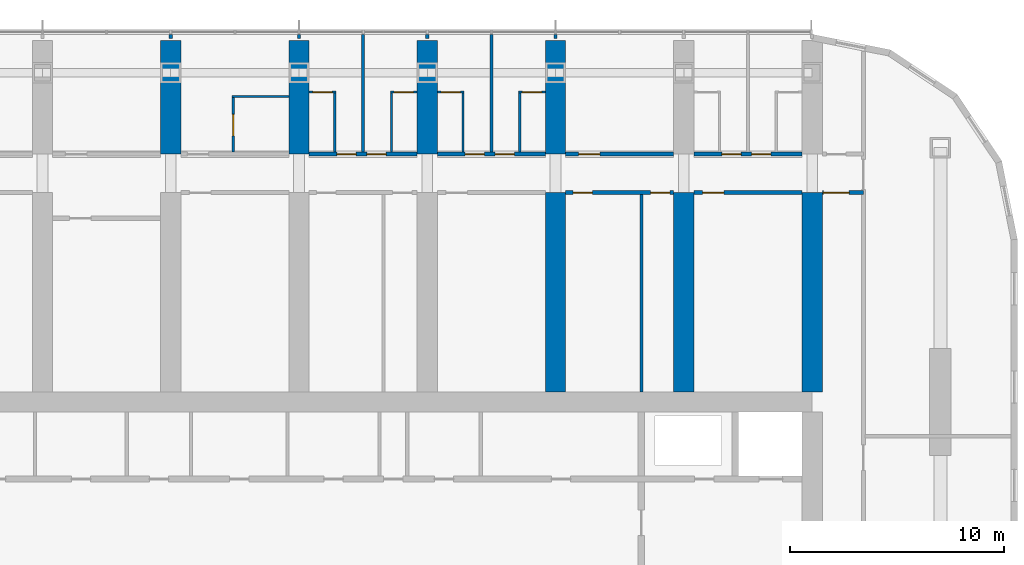
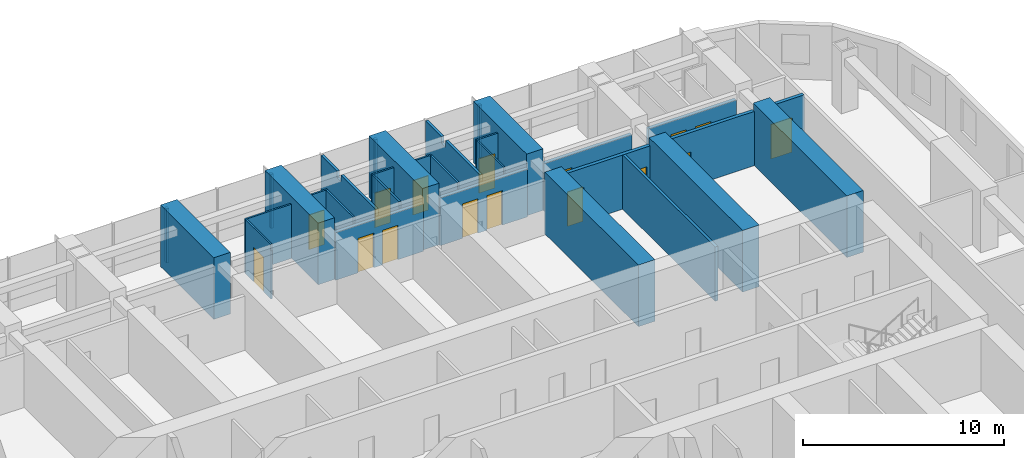
# One storey, part 14 of 21: 31 walls, 16 doors, 16 openings.
"""IFC4 building model written with IfcOpenShell, lengths in metres."""

from ifc_helpers import new_model, si_unit, direction, frame, frame_2d, origin, place, context, subcontext, project, spatial, polyline, rectangle, outline, extrude, material, layer, layer_set, type_object, element, fill, save


model = new_model("IFC4")

# Units and contexts
model_context = context("Model", 3, precision=1e-05, world=origin(), true_north=direction((0.0, 1.0)))
body_context = subcontext(model_context, "Body", "Model", "MODEL_VIEW")
ifc_project = project(units=[si_unit("LENGTHUNIT", "METRE"), si_unit("AREAUNIT", "SQUARE_METRE"), si_unit("VOLUMEUNIT", "CUBIC_METRE"), si_unit("PLANEANGLEUNIT", "RADIAN"), si_unit("MASSUNIT", "GRAM", prefix="KILO")], contexts=[model_context])

# Site, building, storey
site_placement = place(None, origin())
site = spatial("IfcSite", under=ifc_project, at=site_placement, CompositionType="ELEMENT")
building_placement = place(site_placement, origin())
building = spatial("IfcBuilding", under=site, at=building_placement, Name="Orbita Commons", CompositionType="ELEMENT")
storey_placement = place(building_placement, frame((0.0, 0.0, 110.64990234375)))
storey = spatial("IfcBuildingStorey", under=building, at=storey_placement, Name="L27", CompositionType="ELEMENT", Elevation=110.64990234375)

# Wall, openings, doors
ifc_material_1 = material(Name="Concrete blockwork", Category="masonry")
ifc_layer_1 = layer(ifc_material_1, 0.199951171875)
ifc_layer_set_1 = layer_set([ifc_layer_1], Name="Concrete blockwork")
wall_type_1 = type_object("IfcWallType", Name="Corridor wall 200 blockwork", PredefinedType="SOLIDWALL", material=ifc_layer_set_1)
wall_1_placement = place(storey_placement, frame((42.47509765625, 49.800048828125, 0.0), z_axis=(0.0, 0.0, 1.0), x_axis=(1.0, 0.0, 0.0)))
wall_1 = element("IfcWall", 1, at=wall_1_placement, inside=storey, type_object=wall_type_1, Name="Corridor wall 200 blockwork L27", PredefinedType="SOLIDWALL", context=body_context, shape_type="SweptSolid", body=[
    extrude(outline(polyline([(0.0, 0.0), (5.0498046875, 0.0), (5.050048828125, 2.900146484375), (0.0, 2.900146484375), (0.0, 0.0)])), frame((0.0, 0.10009765625, 0.0), z_axis=(0.0, -1.0, 0.0), x_axis=(1.0, 0.0, 0.0)), (0.0, 0.0, 1.0), 0.199951171875),
])
opening_1_placement = place(wall_1_placement, frame((1.300048828125, 0.0, 0.0)))
opening_1 = element("IfcOpeningElement", 2, at=opening_1_placement, cuts=wall_1, Name="Opening D11", PredefinedType="OPENING", context=body_context, shape_type="SweptSolid", body=[
    extrude(rectangle(XDim=0.89990234375, YDim=2.10009765625, at=frame_2d((0.449951171875, 1.050048828125))), frame((0.0, 0.10986328125, 0.0), z_axis=(0.0, -1.0, 0.0), x_axis=(1.0, 0.0, 0.0)), (0.0, 0.0, 1.0), 0.219970703125),
])
opening_2_placement = place(wall_1_placement, frame((2.699951171875, 0.0, 0.0)))
opening_2 = element("IfcOpeningElement", 3, at=opening_2_placement, cuts=wall_1, Name="Opening D11", PredefinedType="OPENING", context=body_context, shape_type="SweptSolid", body=[
    extrude(rectangle(XDim=0.89990234375, YDim=2.10009765625, at=frame_2d((0.449951171875, 1.050048828125))), frame((0.0, 0.10986328125, 0.0), z_axis=(0.0, -1.0, 0.0), x_axis=(1.0, 0.0, 0.0)), (0.0, 0.0, 1.0), 0.219970703125),
])
ifc_material_2 = material(Name="Steel-faced fire door leaf", Category="steel")
door_type_1 = type_object("IfcDoorType", Name="Corridor door 20 min 900x2100", OperationType="SINGLE_SWING_LEFT", PredefinedType="DOOR", material=ifc_material_2)
door_1_placement = place(opening_1_placement, origin())
door_1 = element("IfcDoor", 4, at=door_1_placement, inside=storey, type_object=door_type_1, Name="Cluster bedroom L27-N10 door", OperationType="SINGLE_SWING_LEFT", OverallHeight=2.10009765625, OverallWidth=0.89990234375, PredefinedType="DOOR", context=body_context, shape_type="SweptSolid", body=[
    extrude(rectangle(XDim=0.89990234375, YDim=2.10009765625, at=frame_2d((0.449951171875, 1.050048828125))), frame((0.0, 0.02490234375, 0.0), z_axis=(0.0, -1.0, 0.0), x_axis=(1.0, 0.0, 0.0)), (0.0, 0.0, 1.0), 0.050048828125),
])
fill(opening_1, door_1)
door_2_placement = place(opening_2_placement, origin())
door_2 = element("IfcDoor", 5, at=door_2_placement, inside=storey, type_object=door_type_1, Name="Cluster bedroom L27-N11 door", OperationType="SINGLE_SWING_LEFT", OverallHeight=2.10009765625, OverallWidth=0.89990234375, PredefinedType="DOOR", context=body_context, shape_type="SweptSolid", body=[
    extrude(rectangle(XDim=0.89990234375, YDim=2.10009765625, at=frame_2d((0.449951171875, 1.050048828125))), frame((0.0, 0.02490234375, 0.0), z_axis=(0.0, -1.0, 0.0), x_axis=(1.0, 0.0, 0.0)), (0.0, 0.0, 1.0), 0.050048828125),
])
fill(opening_2, door_2)

wall_2_placement = place(storey_placement, frame((48.47509765625, 49.800048828125, 0.0), z_axis=(0.0, 0.0, 1.0), x_axis=(1.0, 0.0, 0.0)))
wall_2 = element("IfcWall", 6, at=wall_2_placement, inside=storey, type_object=wall_type_1, Name="Corridor wall 200 blockwork L27", PredefinedType="SOLIDWALL", context=body_context, shape_type="SweptSolid", body=[
    extrude(outline(polyline([(0.0, 0.0), (5.0498046875, 0.0), (5.050048828125, 2.900146484375), (0.0, 2.900146484375), (0.0, 0.0)])), frame((0.0, 0.10009765625, 0.0), z_axis=(0.0, -1.0, 0.0), x_axis=(1.0, 0.0, 0.0)), (0.0, 0.0, 1.0), 0.199951171875),
])
opening_3_placement = place(wall_2_placement, frame((1.300048828125, 0.0, 0.0)))
opening_3 = element("IfcOpeningElement", 7, at=opening_3_placement, cuts=wall_2, Name="Opening D11", PredefinedType="OPENING", context=body_context, shape_type="SweptSolid", body=[
    extrude(rectangle(XDim=0.89990234375, YDim=2.10009765625, at=frame_2d((0.449951171875, 1.050048828125))), frame((0.0, 0.10986328125, 0.0), z_axis=(0.0, -1.0, 0.0), x_axis=(1.0, 0.0, 0.0)), (0.0, 0.0, 1.0), 0.219970703125),
])
opening_4_placement = place(wall_2_placement, frame((2.699951171875, 0.0, 0.0)))
opening_4 = element("IfcOpeningElement", 8, at=opening_4_placement, cuts=wall_2, Name="Opening D11", PredefinedType="OPENING", context=body_context, shape_type="SweptSolid", body=[
    extrude(rectangle(XDim=0.89990234375, YDim=2.10009765625, at=frame_2d((0.449951171875, 1.050048828125))), frame((0.0, 0.10986328125, 0.0), z_axis=(0.0, -1.0, 0.0), x_axis=(1.0, 0.0, 0.0)), (0.0, 0.0, 1.0), 0.219970703125),
])
door_3_placement = place(opening_3_placement, origin())
door_3 = element("IfcDoor", 9, at=door_3_placement, inside=storey, type_object=door_type_1, Name="Cluster bedroom L27-N12 door", OperationType="SINGLE_SWING_LEFT", OverallHeight=2.10009765625, OverallWidth=0.89990234375, PredefinedType="DOOR", context=body_context, shape_type="SweptSolid", body=[
    extrude(rectangle(XDim=0.89990234375, YDim=2.10009765625, at=frame_2d((0.449951171875, 1.050048828125))), frame((0.0, 0.02490234375, 0.0), z_axis=(0.0, -1.0, 0.0), x_axis=(1.0, 0.0, 0.0)), (0.0, 0.0, 1.0), 0.050048828125),
])
fill(opening_3, door_3)
door_4_placement = place(opening_4_placement, origin())
door_4 = element("IfcDoor", 10, at=door_4_placement, inside=storey, type_object=door_type_1, Name="Cluster bedroom L27-N13 door", OperationType="SINGLE_SWING_LEFT", OverallHeight=2.10009765625, OverallWidth=0.89990234375, PredefinedType="DOOR", context=body_context, shape_type="SweptSolid", body=[
    extrude(rectangle(XDim=0.89990234375, YDim=2.10009765625, at=frame_2d((0.449951171875, 1.050048828125))), frame((0.0, 0.02490234375, 0.0), z_axis=(0.0, -1.0, 0.0), x_axis=(1.0, 0.0, 0.0)), (0.0, 0.0, 1.0), 0.050048828125),
])
fill(opening_4, door_4)

# Wall, opening, door
wall_3_placement = place(storey_placement, frame((54.47509765625, 49.800048828125, 0.0), z_axis=(0.0, 0.0, 1.0), x_axis=(1.0, 0.0, 0.0)))
wall_3 = element("IfcWall", 11, at=wall_3_placement, inside=storey, type_object=wall_type_1, Name="Corridor wall 200 blockwork L27", PredefinedType="SOLIDWALL", context=body_context, shape_type="SweptSolid", body=[
    extrude(outline(polyline([(0.0, 0.0), (5.0498046875, 0.0), (5.050048828125, 2.900146484375), (0.0, 2.900146484375), (0.0, 0.0)])), frame((0.0, 0.10009765625, 0.0), z_axis=(0.0, -1.0, 0.0), x_axis=(1.0, 0.0, 0.0)), (0.0, 0.0, 1.0), 0.199951171875),
])
opening_5_placement = place(wall_3_placement, frame((0.60009765625, 0.0, 0.0)))
opening_5 = element("IfcOpeningElement", 12, at=opening_5_placement, cuts=wall_3, Name="Opening D06", PredefinedType="OPENING", context=body_context, shape_type="SweptSolid", body=[
    extrude(rectangle(XDim=1.0, YDim=2.10009765625, at=frame_2d((0.5, 1.050048828125))), frame((0.0, 0.10986328125, 0.0), z_axis=(0.0, -1.0, 0.0), x_axis=(1.0, 0.0, 0.0)), (0.0, 0.0, 1.0), 0.219970703125),
])
ifc_material_3 = material(Name="Steel-faced fire door leaf", Category="steel")
door_type_2 = type_object("IfcDoorType", Name="Corridor door 20 min 1000x2100", OperationType="SINGLE_SWING_LEFT", PredefinedType="DOOR", material=ifc_material_3)
door_5_placement = place(opening_5_placement, origin())
door_5 = element("IfcDoor", 13, at=door_5_placement, inside=storey, type_object=door_type_2, Name="Cluster kitchen-diner L27-N14 door", OperationType="SINGLE_SWING_LEFT", OverallHeight=2.10009765625, OverallWidth=1.0, PredefinedType="DOOR", context=body_context, shape_type="SweptSolid", body=[
    extrude(rectangle(XDim=1.0, YDim=2.10009765625, at=frame_2d((0.5, 1.050048828125))), frame((0.0, 0.02490234375, 0.0), z_axis=(0.0, -1.0, 0.0), x_axis=(1.0, 0.0, 0.0)), (0.0, 0.0, 1.0), 0.050048828125),
])
fill(opening_5, door_5)

# Wall, openings, doors
wall_4_placement = place(storey_placement, frame((60.47509765625, 49.800048828125, 0.0), z_axis=(0.0, 0.0, 1.0), x_axis=(1.0, 0.0, 0.0)))
wall_4 = element("IfcWall", 14, at=wall_4_placement, inside=storey, type_object=wall_type_1, Name="Corridor wall 200 blockwork L27", PredefinedType="SOLIDWALL", context=body_context, shape_type="SweptSolid", body=[
    extrude(outline(polyline([(0.0, 0.0), (5.0498046875, 0.0), (5.050048828125, 2.900146484375), (0.0, 2.900146484375), (0.0, 0.0)])), frame((0.0, 0.10009765625, 0.0), z_axis=(0.0, -1.0, 0.0), x_axis=(1.0, 0.0, 0.0)), (0.0, 0.0, 1.0), 0.199951171875),
])
opening_6_placement = place(wall_4_placement, frame((1.300048828125, 0.0, 0.0)))
opening_6 = element("IfcOpeningElement", 15, at=opening_6_placement, cuts=wall_4, Name="Opening D11", PredefinedType="OPENING", context=body_context, shape_type="SweptSolid", body=[
    extrude(rectangle(XDim=0.89990234375, YDim=2.10009765625, at=frame_2d((0.449951171875, 1.050048828125))), frame((0.0, 0.10986328125, 0.0), z_axis=(0.0, -1.0, 0.0), x_axis=(1.0, 0.0, 0.0)), (0.0, 0.0, 1.0), 0.219970703125),
])
opening_7_placement = place(wall_4_placement, frame((2.699951171875, 0.0, 0.0)))
opening_7 = element("IfcOpeningElement", 16, at=opening_7_placement, cuts=wall_4, Name="Opening D11", PredefinedType="OPENING", context=body_context, shape_type="SweptSolid", body=[
    extrude(rectangle(XDim=0.89990234375, YDim=2.10009765625, at=frame_2d((0.449951171875, 1.050048828125))), frame((0.0, 0.10986328125, 0.0), z_axis=(0.0, -1.0, 0.0), x_axis=(1.0, 0.0, 0.0)), (0.0, 0.0, 1.0), 0.219970703125),
])
door_6_placement = place(opening_6_placement, origin())
door_6 = element("IfcDoor", 17, at=door_6_placement, inside=storey, type_object=door_type_1, Name="Cluster bedroom L27-N16 door", OperationType="SINGLE_SWING_LEFT", OverallHeight=2.10009765625, OverallWidth=0.89990234375, PredefinedType="DOOR", context=body_context, shape_type="SweptSolid", body=[
    extrude(rectangle(XDim=0.89990234375, YDim=2.10009765625, at=frame_2d((0.449951171875, 1.050048828125))), frame((0.0, 0.02490234375, 0.0), z_axis=(0.0, -1.0, 0.0), x_axis=(1.0, 0.0, 0.0)), (0.0, 0.0, 1.0), 0.050048828125),
])
fill(opening_6, door_6)
door_7_placement = place(opening_7_placement, origin())
door_7 = element("IfcDoor", 18, at=door_7_placement, inside=storey, type_object=door_type_1, Name="Cluster bedroom L27-N17 door", OperationType="SINGLE_SWING_LEFT", OverallHeight=2.10009765625, OverallWidth=0.89990234375, PredefinedType="DOOR", context=body_context, shape_type="SweptSolid", body=[
    extrude(rectangle(XDim=0.89990234375, YDim=2.10009765625, at=frame_2d((0.449951171875, 1.050048828125))), frame((0.0, 0.02490234375, 0.0), z_axis=(0.0, -1.0, 0.0), x_axis=(1.0, 0.0, 0.0)), (0.0, 0.0, 1.0), 0.050048828125),
])
fill(opening_7, door_7)

ifc_material_4 = material(Name="Hollow concrete block 200", Category="concrete")
ifc_layer_2 = layer(ifc_material_4, 0.199951171875)
ifc_layer_set_2 = layer_set([ifc_layer_2], Name="Hollow concrete block 200")
wall_type_2 = type_object("IfcWallType", Name="Corridor wall 200 hollow concrete block", PredefinedType="SOLIDWALL", material=ifc_layer_set_2)
wall_5_placement = place(storey_placement, frame((54.47509765625, 48.0, 0.0), z_axis=(0.0, 0.0, 1.0), x_axis=(1.0, 0.0, 0.0)))
wall_5 = element("IfcWall", 19, at=wall_5_placement, inside=storey, type_object=wall_type_2, Name="Corridor wall 200 hollow concrete block L27", PredefinedType="SOLIDWALL", context=body_context, shape_type="SweptSolid", body=[
    extrude(rectangle(XDim=5.0498046875, YDim=0.199951171875, at=frame_2d((2.52490234375, 0.0))), origin(), (0.0, 0.0, 1.0), 3.300048828125),
])
opening_8_placement = place(wall_5_placement, frame((0.35009765625, 0.0, 0.0)))
opening_8 = element("IfcOpeningElement", 20, at=opening_8_placement, cuts=wall_5, Name="Opening D11", PredefinedType="OPENING", context=body_context, shape_type="SweptSolid", body=[
    extrude(rectangle(XDim=0.89990234375, YDim=2.10009765625, at=frame_2d((0.449951171875, 1.050048828125))), frame((0.0, 0.10986328125, 0.0), z_axis=(0.0, -1.0, 0.0), x_axis=(1.0, 0.0, 0.0)), (0.0, 0.0, 1.0), 0.219970703125),
])
opening_9_placement = place(wall_5_placement, frame((3.97509765625, 0.0, 0.0)))
opening_9 = element("IfcOpeningElement", 21, at=opening_9_placement, cuts=wall_5, Name="Opening D11", PredefinedType="OPENING", context=body_context, shape_type="SweptSolid", body=[
    extrude(rectangle(XDim=0.89990234375, YDim=2.10009765625, at=frame_2d((0.449951171875, 1.050048828125))), frame((0.0, 0.10986328125, 0.0), z_axis=(0.0, -1.0, 0.0), x_axis=(1.0, 0.0, 0.0)), (0.0, 0.0, 1.0), 0.219970703125),
])
door_8_placement = place(opening_8_placement, origin())
door_8 = element("IfcDoor", 22, at=door_8_placement, inside=storey, type_object=door_type_1, Name="Cluster pantry L27-BDN54 door", OperationType="SINGLE_SWING_LEFT", OverallHeight=2.10009765625, OverallWidth=0.89990234375, PredefinedType="DOOR", context=body_context, shape_type="SweptSolid", body=[
    extrude(rectangle(XDim=0.89990234375, YDim=2.10009765625, at=frame_2d((0.449951171875, 1.050048828125))), frame((0.0, 0.02490234375, 0.0), z_axis=(0.0, -1.0, 0.0), x_axis=(1.0, 0.0, 0.0)), (0.0, 0.0, 1.0), 0.050048828125),
])
fill(opening_8, door_8)
door_9_placement = place(opening_9_placement, origin())
door_9 = element("IfcDoor", 23, at=door_9_placement, inside=storey, type_object=door_type_1, Name="Riser access cupboard L27-BDN54n door", OperationType="SINGLE_SWING_LEFT", OverallHeight=2.10009765625, OverallWidth=0.89990234375, PredefinedType="DOOR", context=body_context, shape_type="SweptSolid", body=[
    extrude(rectangle(XDim=0.89990234375, YDim=2.10009765625, at=frame_2d((0.449951171875, 1.050048828125))), frame((0.0, 0.02490234375, 0.0), z_axis=(0.0, -1.0, 0.0), x_axis=(1.0, 0.0, 0.0)), (0.0, 0.0, 1.0), 0.050048828125),
])
fill(opening_9, door_9)

# Wall, opening, door
wall_6_placement = place(storey_placement, frame((60.47509765625, 48.0, 0.0), z_axis=(0.0, 0.0, 1.0), x_axis=(1.0, 0.0, 0.0)))
wall_6 = element("IfcWall", 24, at=wall_6_placement, inside=storey, type_object=wall_type_2, Name="Corridor wall 200 hollow concrete block L27", PredefinedType="SOLIDWALL", context=body_context, shape_type="SweptSolid", body=[
    extrude(rectangle(XDim=5.0498046875, YDim=0.199951171875, at=frame_2d((2.52490234375, 0.0))), origin(), (0.0, 0.0, 1.0), 3.300048828125),
])
opening_10_placement = place(wall_6_placement, frame((0.39990234375, 0.0, 0.0)))
opening_10 = element("IfcOpeningElement", 25, at=opening_10_placement, cuts=wall_6, Name="Opening D06", PredefinedType="OPENING", context=body_context, shape_type="SweptSolid", body=[
    extrude(rectangle(XDim=1.0, YDim=2.10009765625, at=frame_2d((0.5, 1.050048828125))), frame((0.0, 0.10986328125, 0.0), z_axis=(0.0, -1.0, 0.0), x_axis=(1.0, 0.0, 0.0)), (0.0, 0.0, 1.0), 0.219970703125),
])
door_10_placement = place(opening_10_placement, origin())
door_10 = element("IfcDoor", 26, at=door_10_placement, inside=storey, type_object=door_type_2, Name="Store L27-BDN60 door", OperationType="SINGLE_SWING_LEFT", OverallHeight=2.10009765625, OverallWidth=1.0, PredefinedType="DOOR", context=body_context, shape_type="SweptSolid", body=[
    extrude(rectangle(XDim=1.0, YDim=2.10009765625, at=frame_2d((0.5, 1.050048828125))), frame((0.0, 0.02490234375, 0.0), z_axis=(0.0, -1.0, 0.0), x_axis=(1.0, 0.0, 0.0)), (0.0, 0.0, 1.0), 0.050048828125),
])
fill(opening_10, door_10)

wall_7_placement = place(storey_placement, frame((66.47509765625, 48.0, 0.0), z_axis=(0.0, 0.0, 1.0), x_axis=(1.0, 0.0, 0.0)))
wall_7 = element("IfcWall", 27, at=wall_7_placement, inside=storey, type_object=wall_type_2, Name="Corridor wall 200 hollow concrete block L27", PredefinedType="SOLIDWALL", context=body_context, shape_type="SweptSolid", body=[
    extrude(rectangle(XDim=1.9248046875, YDim=0.199951171875, at=frame_2d((0.96240234375, 0.0))), origin(), (0.0, 0.0, 1.0), 3.300048828125),
])
opening_11_placement = place(wall_7_placement, frame((0.050048828125, 0.0, 0.0)))
opening_11 = element("IfcOpeningElement", 28, at=opening_11_placement, cuts=wall_7, Name="Opening D12", PredefinedType="OPENING", context=body_context, shape_type="SweptSolid", body=[
    extrude(rectangle(XDim=1.199951171875, YDim=2.10009765625, at=frame_2d((0.60009765625, 1.050048828125))), frame((0.0, 0.10986328125, 0.0), z_axis=(0.0, -1.0, 0.0), x_axis=(1.0, 0.0, 0.0)), (0.0, 0.0, 1.0), 0.219970703125),
])
ifc_material_5 = material(Name="Steel-faced fire door leaf", Category="steel")
door_type_3 = type_object("IfcDoorType", Name="Double corridor door 20 min 1200x2100", OperationType="DOUBLE_DOOR_SINGLE_SWING", PredefinedType="DOOR", material=ifc_material_5)
door_11_placement = place(opening_11_placement, origin())
door_11 = element("IfcDoor", 29, at=door_11_placement, inside=storey, type_object=door_type_3, Name="Cross corridor doors", OperationType="DOUBLE_DOOR_SINGLE_SWING", OverallHeight=2.10009765625, OverallWidth=1.199951171875, PredefinedType="DOOR", context=body_context, shape_type="SweptSolid", body=[
    extrude(rectangle(XDim=1.199951171875, YDim=2.10009765625, at=frame_2d((0.60009765625, 1.050048828125))), frame((0.0, 0.02490234375, 0.0), z_axis=(0.0, -1.0, 0.0), x_axis=(1.0, 0.0, 0.0)), (0.0, 0.0, 1.0), 0.050048828125),
])
fill(opening_11, door_11)

# Walls
ifc_material_6 = material(Name="Concrete C50/60", Category="concrete")
ifc_layer_3 = layer(ifc_material_6, 0.949951171875)
ifc_layer_set_3 = layer_set([ifc_layer_3], Name="Concrete C50/60")
wall_type_3 = type_object("IfcWallType", Name="Cross wall 950 C50/60", PredefinedType="SHEAR", material=ifc_layer_set_3)
for number, where, z_axis, x_axis, name in (
    (30, (36.0, 49.800048828125, 0.0), (0.0, 0.0, 1.0), (0.0, 1.0, 0.0), "Cross wall 7 north outer L27"),
    (31, (42.0, 49.800048828125, 0.0), (0.0, 0.0, 1.0), (0.0, 1.0, 0.0), "Cross wall 8 north outer L27"),
    (32, (48.0, 49.800048828125, 0.0), (0.0, 0.0, 1.0), (0.0, 1.0, 0.0), "Cross wall 9 north outer L27"),
    (33, (54.0, 49.800048828125, 0.0), (0.0, 0.0, 1.0), (0.0, 1.0, 0.0), "Cross wall 10 north outer L27"),
):
    element("IfcWall", number, at=place(storey_placement, frame(where, z_axis=z_axis, x_axis=x_axis)), inside=storey, type_object=wall_type_3, Name=name, PredefinedType="SHEAR", context=body_context, shape_type="SweptSolid", body=[
        extrude(rectangle(XDim=5.300048828125, YDim=0.949951171875, at=frame_2d((2.64990234375, 0.0))), origin(), (0.0, 0.0, 1.0), 3.75),
    ])
for number, where, z_axis, x_axis, name in (
    (34, (54.0, 38.675048828125, 0.0), (0.0, 0.0, 1.0), (0.0, 1.0, 0.0), "Cross wall 10 north inner L27"),
    (35, (60.0, 38.675048828125, 0.0), (0.0, 0.0, 1.0), (0.0, 1.0, 0.0), "Cross wall 11 north inner L27"),
    (36, (66.0, 38.675048828125, 0.0), (0.0, 0.0, 1.0), (0.0, 1.0, 0.0), "Cross wall 12 north inner L27"),
):
    element("IfcWall", number, at=place(storey_placement, frame(where, z_axis=z_axis, x_axis=x_axis)), inside=storey, type_object=wall_type_3, Name=name, PredefinedType="SHEAR", context=body_context, shape_type="SweptSolid", body=[
        extrude(rectangle(XDim=9.324951171875, YDim=0.949951171875, at=frame_2d((4.66259765625, 0.0))), origin(), (0.0, 0.0, 1.0), 3.75),
    ])
ifc_material_7 = material(Name="Moisture-resistant plasterboard on steel studs", Category="steel")
ifc_layer_4 = layer(ifc_material_7, 0.10009765625)
ifc_layer_set_4 = layer_set([ifc_layer_4], Name="Moisture-resistant plasterboard on steel studs")
wall_type_4 = type_object("IfcWallType", Name="En-suite partition 100", PredefinedType="PARTITIONING", material=ifc_layer_set_4)
wall_8_placement = place(storey_placement, frame((38.875, 52.5, 0.0), z_axis=(0.0, 0.0, 1.0), x_axis=(1.0, 0.0, 0.0)))
element("IfcWall", 37, at=wall_8_placement, inside=storey, type_object=wall_type_4, Name="En-suite partition 100 L27", PredefinedType="PARTITIONING", context=body_context, shape_type="SweptSolid", body=[
    extrude(rectangle(XDim=2.64990234375, YDim=0.10009765625, at=frame_2d((1.324951171875, 0.0))), origin(), (0.0, 0.0, 1.0), 3.300048828125),
])

# Wall, opening, door
wall_9_placement = place(storey_placement, frame((38.925048828125, 52.449951171875, 0.0), z_axis=(0.0, 0.0, 1.0), x_axis=(0.0, -1.0, 0.0)))
wall_9 = element("IfcWall", 38, at=wall_9_placement, inside=storey, type_object=wall_type_4, Name="En-suite partition 100 L27", PredefinedType="PARTITIONING", context=body_context, shape_type="SweptSolid", body=[
    extrude(outline(polyline([(0.0, 0.0), (2.550048828125, 0.0), (2.550048828125, 2.900146484375), (2.501953125, 2.900146484375), (2.5, 3.300048828125), (0.0, 3.300048828125), (0.0, 0.0)])), frame((0.0, 0.050048828125, 0.0), z_axis=(0.0, -1.0, 0.0), x_axis=(1.0, 0.0, 0.0)), (0.0, 0.0, 1.0), 0.10009765625),
])
opening_12_placement = place(wall_9_placement, frame((0.800048828125, 0.0, 0.0)))
opening_12 = element("IfcOpeningElement", 39, at=opening_12_placement, cuts=wall_9, Name="Opening D13", PredefinedType="OPENING", context=body_context, shape_type="SweptSolid", body=[
    extrude(rectangle(XDim=1.0, YDim=2.10009765625, at=frame_2d((0.5, 1.050048828125))), frame((0.0, 0.06005859375, 0.0), z_axis=(0.0, -1.0, 0.0), x_axis=(1.0, 0.0, 0.0)), (0.0, 0.0, 1.0), 0.1201171875),
])
ifc_material_8 = material(Name="Laminated timber door leaf", Category="wood")
door_type_4 = type_object("IfcDoorType", Name="En-suite door 1000x2100", OperationType="SINGLE_SWING_RIGHT", PredefinedType="DOOR", material=ifc_material_8)
door_12_placement = place(opening_12_placement, origin())
door_12 = element("IfcDoor", 40, at=door_12_placement, inside=storey, type_object=door_type_4, Name="Accessible shower room L27-N08 door", OperationType="SINGLE_SWING_RIGHT", OverallHeight=2.10009765625, OverallWidth=1.0, PredefinedType="DOOR", context=body_context, shape_type="SweptSolid", body=[
    extrude(rectangle(XDim=1.0, YDim=2.10009765625, at=frame_2d((0.5, 1.050048828125))), frame((0.0, 0.02490234375, 0.0), z_axis=(0.0, -1.0, 0.0), x_axis=(1.0, 0.0, 0.0)), (0.0, 0.0, 1.0), 0.050048828125),
])
fill(opening_12, door_12)

wall_10_placement = place(storey_placement, frame((42.47509765625, 52.699951171875, 0.0), z_axis=(0.0, 0.0, 1.0), x_axis=(1.0, 0.0, 0.0)))
wall_10 = element("IfcWall", 41, at=wall_10_placement, inside=storey, type_object=wall_type_4, Name="En-suite partition 100 L27", PredefinedType="PARTITIONING", context=body_context, shape_type="SweptSolid", body=[
    extrude(rectangle(XDim=1.25, YDim=0.10009765625, at=frame_2d((0.625, 0.0))), origin(), (0.0, 0.0, 1.0), 3.300048828125),
])
opening_13_placement = place(wall_10_placement, frame((0.175048828125, 0.0, 0.0)))
opening_13 = element("IfcOpeningElement", 42, at=opening_13_placement, cuts=wall_10, Name="Opening D09", PredefinedType="OPENING", context=body_context, shape_type="SweptSolid", body=[
    extrude(rectangle(XDim=0.89990234375, YDim=2.10009765625, at=frame_2d((0.449951171875, 1.050048828125))), frame((0.0, 0.06005859375, 0.0), z_axis=(0.0, -1.0, 0.0), x_axis=(1.0, 0.0, 0.0)), (0.0, 0.0, 1.0), 0.1201171875),
])
ifc_material_9 = material(Name="Laminated timber door leaf", Category="wood")
door_type_5 = type_object("IfcDoorType", Name="En-suite door 900x2100", OperationType="SINGLE_SWING_RIGHT", PredefinedType="DOOR", material=ifc_material_9)
door_13_placement = place(opening_13_placement, origin())
door_13 = element("IfcDoor", 43, at=door_13_placement, inside=storey, type_object=door_type_5, Name="En-suite L27-N10 door", OperationType="SINGLE_SWING_RIGHT", OverallHeight=2.10009765625, OverallWidth=0.89990234375, PredefinedType="DOOR", context=body_context, shape_type="SweptSolid", body=[
    extrude(rectangle(XDim=0.89990234375, YDim=2.10009765625, at=frame_2d((0.449951171875, 1.050048828125))), frame((0.0, 0.02490234375, 0.0), z_axis=(0.0, -1.0, 0.0), x_axis=(1.0, 0.0, 0.0)), (0.0, 0.0, 1.0), 0.050048828125),
])
fill(opening_13, door_13)

# Wall
wall_11_placement = place(storey_placement, frame((43.675048828125, 52.64990234375, 0.0), z_axis=(0.0, 0.0, 1.0), x_axis=(0.0, -1.0, 0.0)))
element("IfcWall", 44, at=wall_11_placement, inside=storey, type_object=wall_type_4, Name="En-suite partition 100 L27", PredefinedType="PARTITIONING", context=body_context, shape_type="SweptSolid", body=[
    extrude(outline(polyline([(0.0, 0.0), (2.75, 0.0), (2.75, 2.900146484375), (2.701904296875, 2.900146484375), (2.699951171875, 3.300048828125), (0.0, 3.300048828125), (0.0, 0.0)])), frame((0.0, 0.050048828125, 0.0), z_axis=(0.0, -1.0, 0.0), x_axis=(1.0, 0.0, 0.0)), (0.0, 0.0, 1.0), 0.10009765625),
])

# Wall, opening, door
wall_12_placement = place(storey_placement, frame((46.27490234375, 52.699951171875, 0.0), z_axis=(0.0, 0.0, 1.0), x_axis=(1.0, 0.0, 0.0)))
wall_12 = element("IfcWall", 45, at=wall_12_placement, inside=storey, type_object=wall_type_4, Name="En-suite partition 100 L27", PredefinedType="PARTITIONING", context=body_context, shape_type="SweptSolid", body=[
    extrude(rectangle(XDim=1.25, YDim=0.10009765625, at=frame_2d((0.625, 0.0))), origin(), (0.0, 0.0, 1.0), 3.300048828125),
])
opening_14_placement = place(wall_12_placement, frame((0.175048828125, 0.0, 0.0)))
opening_14 = element("IfcOpeningElement", 46, at=opening_14_placement, cuts=wall_12, Name="Opening D09", PredefinedType="OPENING", context=body_context, shape_type="SweptSolid", body=[
    extrude(rectangle(XDim=0.89990234375, YDim=2.10009765625, at=frame_2d((0.449951171875, 1.050048828125))), frame((0.0, 0.06005859375, 0.0), z_axis=(0.0, -1.0, 0.0), x_axis=(1.0, 0.0, 0.0)), (0.0, 0.0, 1.0), 0.1201171875),
])
door_14_placement = place(opening_14_placement, origin())
door_14 = element("IfcDoor", 47, at=door_14_placement, inside=storey, type_object=door_type_5, Name="En-suite L27-N11 door", OperationType="SINGLE_SWING_RIGHT", OverallHeight=2.10009765625, OverallWidth=0.89990234375, PredefinedType="DOOR", context=body_context, shape_type="SweptSolid", body=[
    extrude(rectangle(XDim=0.89990234375, YDim=2.10009765625, at=frame_2d((0.449951171875, 1.050048828125))), frame((0.0, 0.02490234375, 0.0), z_axis=(0.0, -1.0, 0.0), x_axis=(1.0, 0.0, 0.0)), (0.0, 0.0, 1.0), 0.050048828125),
])
fill(opening_14, door_14)

# Wall
wall_13_placement = place(storey_placement, frame((46.324951171875, 52.64990234375, 0.0), z_axis=(0.0, 0.0, 1.0), x_axis=(0.0, -1.0, 0.0)))
element("IfcWall", 48, at=wall_13_placement, inside=storey, type_object=wall_type_4, Name="En-suite partition 100 L27", PredefinedType="PARTITIONING", context=body_context, shape_type="SweptSolid", body=[
    extrude(outline(polyline([(0.0, 0.0), (2.75, 0.0), (2.75, 2.900146484375), (2.701904296875, 2.900146484375), (2.699951171875, 3.300048828125), (0.0, 3.300048828125), (0.0, 0.0)])), frame((0.0, 0.050048828125, 0.0), z_axis=(0.0, -1.0, 0.0), x_axis=(1.0, 0.0, 0.0)), (0.0, 0.0, 1.0), 0.10009765625),
])

# Wall, opening, door
wall_14_placement = place(storey_placement, frame((48.47509765625, 52.699951171875, 0.0), z_axis=(0.0, 0.0, 1.0), x_axis=(1.0, 0.0, 0.0)))
wall_14 = element("IfcWall", 49, at=wall_14_placement, inside=storey, type_object=wall_type_4, Name="En-suite partition 100 L27", PredefinedType="PARTITIONING", context=body_context, shape_type="SweptSolid", body=[
    extrude(rectangle(XDim=1.25, YDim=0.10009765625, at=frame_2d((0.625, 0.0))), origin(), (0.0, 0.0, 1.0), 3.300048828125),
])
opening_15_placement = place(wall_14_placement, frame((0.175048828125, 0.0, 0.0)))
opening_15 = element("IfcOpeningElement", 50, at=opening_15_placement, cuts=wall_14, Name="Opening D09", PredefinedType="OPENING", context=body_context, shape_type="SweptSolid", body=[
    extrude(rectangle(XDim=0.89990234375, YDim=2.10009765625, at=frame_2d((0.449951171875, 1.050048828125))), frame((0.0, 0.06005859375, 0.0), z_axis=(0.0, -1.0, 0.0), x_axis=(1.0, 0.0, 0.0)), (0.0, 0.0, 1.0), 0.1201171875),
])
door_15_placement = place(opening_15_placement, origin())
door_15 = element("IfcDoor", 51, at=door_15_placement, inside=storey, type_object=door_type_5, Name="En-suite L27-N12 door", OperationType="SINGLE_SWING_RIGHT", OverallHeight=2.10009765625, OverallWidth=0.89990234375, PredefinedType="DOOR", context=body_context, shape_type="SweptSolid", body=[
    extrude(rectangle(XDim=0.89990234375, YDim=2.10009765625, at=frame_2d((0.449951171875, 1.050048828125))), frame((0.0, 0.02490234375, 0.0), z_axis=(0.0, -1.0, 0.0), x_axis=(1.0, 0.0, 0.0)), (0.0, 0.0, 1.0), 0.050048828125),
])
fill(opening_15, door_15)

# Wall
wall_15_placement = place(storey_placement, frame((49.675048828125, 52.64990234375, 0.0), z_axis=(0.0, 0.0, 1.0), x_axis=(0.0, -1.0, 0.0)))
element("IfcWall", 52, at=wall_15_placement, inside=storey, type_object=wall_type_4, Name="En-suite partition 100 L27", PredefinedType="PARTITIONING", context=body_context, shape_type="SweptSolid", body=[
    extrude(outline(polyline([(0.0, 0.0), (2.75, 0.0), (2.75, 2.900146484375), (2.701904296875, 2.900146484375), (2.699951171875, 3.300048828125), (0.0, 3.300048828125), (0.0, 0.0)])), frame((0.0, 0.050048828125, 0.0), z_axis=(0.0, -1.0, 0.0), x_axis=(1.0, 0.0, 0.0)), (0.0, 0.0, 1.0), 0.10009765625),
])

# Wall, opening, door
wall_16_placement = place(storey_placement, frame((52.27490234375, 52.699951171875, 0.0), z_axis=(0.0, 0.0, 1.0), x_axis=(1.0, 0.0, 0.0)))
wall_16 = element("IfcWall", 53, at=wall_16_placement, inside=storey, type_object=wall_type_4, Name="En-suite partition 100 L27", PredefinedType="PARTITIONING", context=body_context, shape_type="SweptSolid", body=[
    extrude(rectangle(XDim=1.25, YDim=0.10009765625, at=frame_2d((0.625, 0.0))), origin(), (0.0, 0.0, 1.0), 3.300048828125),
])
opening_16_placement = place(wall_16_placement, frame((0.175048828125, 0.0, 0.0)))
opening_16 = element("IfcOpeningElement", 54, at=opening_16_placement, cuts=wall_16, Name="Opening D09", PredefinedType="OPENING", context=body_context, shape_type="SweptSolid", body=[
    extrude(rectangle(XDim=0.89990234375, YDim=2.10009765625, at=frame_2d((0.449951171875, 1.050048828125))), frame((0.0, 0.06005859375, 0.0), z_axis=(0.0, -1.0, 0.0), x_axis=(1.0, 0.0, 0.0)), (0.0, 0.0, 1.0), 0.1201171875),
])
door_16_placement = place(opening_16_placement, origin())
door_16 = element("IfcDoor", 55, at=door_16_placement, inside=storey, type_object=door_type_5, Name="En-suite L27-N13 door", OperationType="SINGLE_SWING_RIGHT", OverallHeight=2.10009765625, OverallWidth=0.89990234375, PredefinedType="DOOR", context=body_context, shape_type="SweptSolid", body=[
    extrude(rectangle(XDim=0.89990234375, YDim=2.10009765625, at=frame_2d((0.449951171875, 1.050048828125))), frame((0.0, 0.02490234375, 0.0), z_axis=(0.0, -1.0, 0.0), x_axis=(1.0, 0.0, 0.0)), (0.0, 0.0, 1.0), 0.050048828125),
])
fill(opening_16, door_16)

# Walls
wall_17_placement = place(storey_placement, frame((52.324951171875, 52.64990234375, 0.0), z_axis=(0.0, 0.0, 1.0), x_axis=(0.0, -1.0, 0.0)))
element("IfcWall", 56, at=wall_17_placement, inside=storey, type_object=wall_type_4, Name="En-suite partition 100 L27", PredefinedType="PARTITIONING", context=body_context, shape_type="SweptSolid", body=[
    extrude(outline(polyline([(0.0, 0.0), (2.75, 0.0), (2.75, 2.900146484375), (2.701904296875, 2.900146484375), (2.699951171875, 3.300048828125), (0.0, 3.300048828125), (0.0, 0.0)])), frame((0.0, 0.050048828125, 0.0), z_axis=(0.0, -1.0, 0.0), x_axis=(1.0, 0.0, 0.0)), (0.0, 0.0, 1.0), 0.10009765625),
])
ifc_material_10 = material(Name="Gypsum plasterboard on steel studs", Category="steel")
ifc_layer_5 = layer(ifc_material_10, 0.14990234375)
ifc_layer_set_5 = layer_set([ifc_layer_5], Name="Gypsum plasterboard on steel studs")
wall_type_5 = type_object("IfcWallType", Name="Partition 150 plasterboard", PredefinedType="PARTITIONING", material=ifc_layer_set_5)
wall_18_placement = place(storey_placement, frame((58.02490234375, 38.675048828125, 0.0), z_axis=(0.0, 0.0, 1.0), x_axis=(0.0, 1.0, 0.0)))
element("IfcWall", 57, at=wall_18_placement, inside=storey, type_object=wall_type_5, Name="Partition 150 plasterboard L27", PredefinedType="PARTITIONING", context=body_context, shape_type="SweptSolid", body=[
    extrude(rectangle(XDim=9.224853515625, YDim=0.14990234375, at=frame_2d((4.6123046875, 0.0))), origin(), (0.0, 0.0, 1.0), 3.300048828125),
])
for number, where, z_axis, x_axis, name in (
    (58, (36.0, 55.199951171875, 0.0), (0.0, 0.0, 1.0), (0.0, 1.0, 0.0), "Partition 150 plasterboard L27"),
    (59, (42.0, 55.199951171875, 0.0), (0.0, 0.0, 1.0), (0.0, 1.0, 0.0), "Partition 150 plasterboard L27"),
    (60, (48.0, 55.199951171875, 0.0), (0.0, 0.0, 1.0), (0.0, 1.0, 0.0), "Partition 150 plasterboard L27"),
    (61, (54.0, 55.199951171875, 0.0), (0.0, 0.0, 1.0), (0.0, 1.0, 0.0), "Partition 150 plasterboard L27"),
):
    element("IfcWall", number, at=place(storey_placement, frame(where, z_axis=z_axis, x_axis=x_axis)), inside=storey, type_object=wall_type_5, Name=name, PredefinedType="PARTITIONING", context=body_context, shape_type="SweptSolid", body=[
        extrude(rectangle(XDim=0.18994140625, YDim=0.14990234375, at=frame_2d((0.094970703125, 0.0))), origin(), (0.0, 0.0, 1.0), 3.300048828125),
    ])
ifc_material_11 = material(Name="Gypsum plasterboard on steel studs", Category="steel")
ifc_layer_6 = layer(ifc_material_11, 0.14990234375)
ifc_layer_set_6 = layer_set([ifc_layer_6], Name="Gypsum plasterboard on steel studs")
wall_type_6 = type_object("IfcWallType", Name="Party wall 150 plasterboard", PredefinedType="PARTITIONING", material=ifc_layer_set_6)
for number, where, z_axis, x_axis, name in (
    (62, (45.0, 55.389892578125, 0.0), (0.0, 0.0, 1.0), (0.0, -1.0, 0.0), "Party wall 150 plasterboard L27"),
    (63, (51.0, 55.389892578125, 0.0), (0.0, 0.0, 1.0), (0.0, -1.0, 0.0), "Party wall 150 plasterboard L27"),
):
    element("IfcWall", number, at=place(storey_placement, frame(where, z_axis=z_axis, x_axis=x_axis)), inside=storey, type_object=wall_type_6, Name=name, PredefinedType="PARTITIONING", context=body_context, shape_type="SweptSolid", body=[
        extrude(outline(polyline([(0.0, 0.0), (5.489990234375, 0.0), (5.489990234375, 2.900146484375), (5.44189453125, 2.900146484375), (5.43994140625, 3.300048828125), (1.991943359375, 3.300048828125), (1.989990234375, 2.900146484375), (1.592041015625, 2.900146484375), (1.590087890625, 3.300048828125), (0.0, 3.300048828125), (0.0, 0.0)])), frame((0.0, 0.074951171875, 0.0), z_axis=(0.0, -1.0, 0.0), x_axis=(1.0, 0.0, 0.0)), (0.0, 0.0, 1.0), 0.14990234375),
    ])

save(model, "model.ifc")
